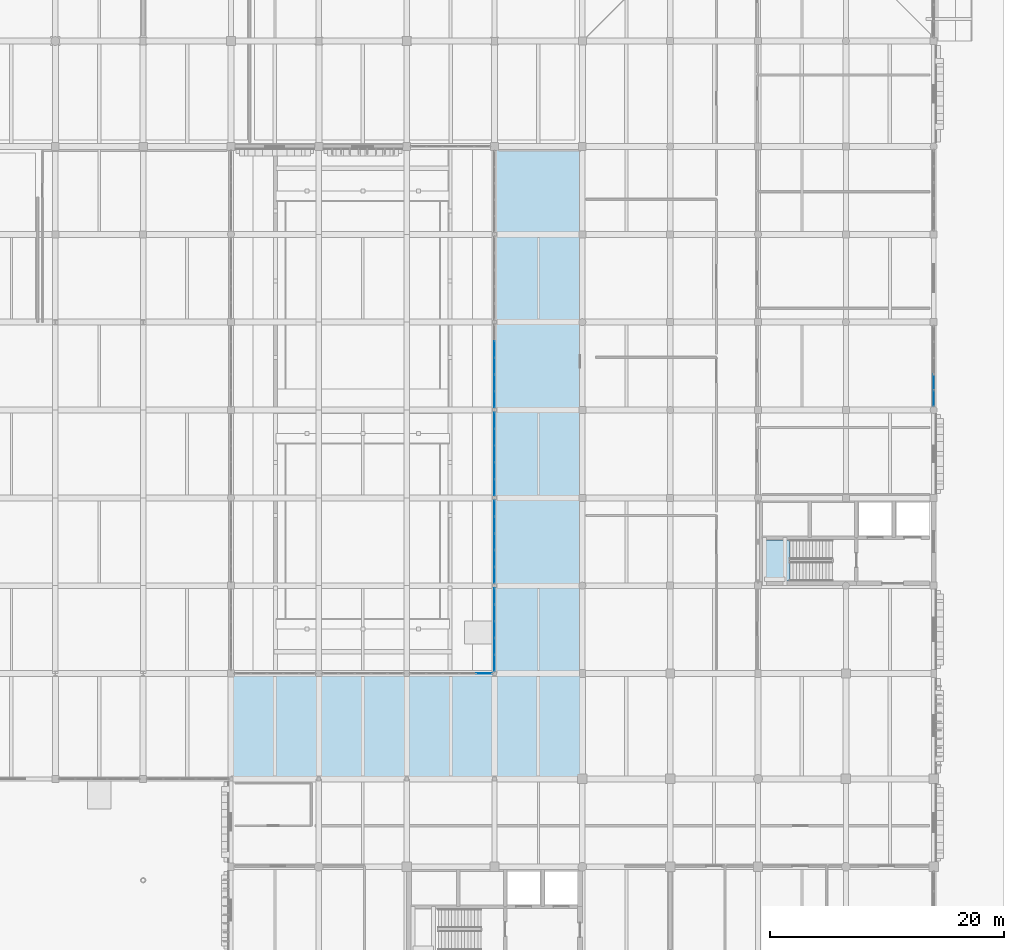
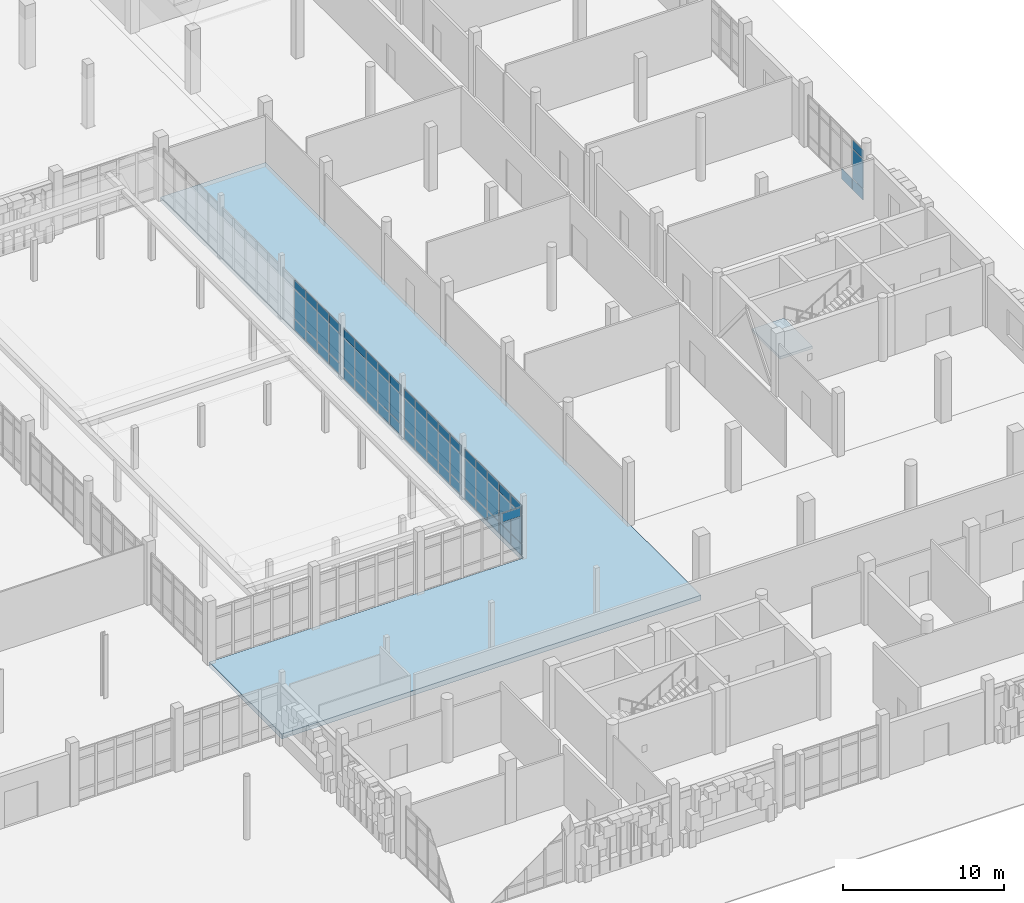
# One storey, part 83 of 125: 62 plates, 2 slabs, 7 elements without a shape of their own.
"""IFC4 building model written with IfcOpenShell, lengths in metres."""

from ifc_helpers import new_model, si_unit, direction, frame, origin, origin_2d, place, context, subcontext, project, spatial, polyline, rectangle, outline, extrude, material, layer, layer_set, type_object, element, aggregate, save


model = new_model("IFC4")

# Units and contexts
model_context = context("Model", 3, precision=1e-05, world=origin(), true_north=direction((0.0, 1.0)))
body_context = subcontext(model_context, "Body", "Model", "MODEL_VIEW")
ifc_project = project(units=[si_unit("LENGTHUNIT", "METRE"), si_unit("AREAUNIT", "SQUARE_METRE"), si_unit("VOLUMEUNIT", "CUBIC_METRE"), si_unit("PLANEANGLEUNIT", "RADIAN"), si_unit("MASSUNIT", "GRAM", prefix="KILO")], contexts=[model_context])

# Site, building, storey
site_placement = place(None, origin())
site = spatial("IfcSite", under=ifc_project, at=site_placement, CompositionType="ELEMENT")
building_placement = place(site_placement, origin())
building = spatial("IfcBuilding", under=site, at=building_placement, Name="Dalvernix Boulevard General Hospital", CompositionType="ELEMENT")
storey_placement = place(building_placement, origin())
storey = spatial("IfcBuildingStorey", under=building, at=storey_placement, Name="L00", CompositionType="ELEMENT", Elevation=0.0)

# Curtain wall, plate
ifc_material_1 = material(Name="Thermally broken aluminium and solar-control glass curtain wall", Category="aluminium")
ifc_layer_1 = layer(ifc_material_1, 0.159912109375)
ifc_layer_set_1 = layer_set([ifc_layer_1], Name="Thermally broken aluminium and solar-control glass curtain wall (CW-CW-A-71x40)")
curtain_wall_type_1 = type_object("IfcCurtainWallType", Name="CW-CW-A-71x40", PredefinedType="USERDEFINED", material=ifc_layer_set_1)
curtain_wall_1_placement = place(storey_placement, origin())
curtain_wall_1 = element("IfcCurtainWall", 1, at=curtain_wall_1_placement, inside=storey, type_object=curtain_wall_type_1, Name="L00 curtain wall CW-A-71x40 17-4", ObjectType="GLAZED FACADE", PredefinedType="USERDEFINED")
ifc_material_2 = material(Name="Double-glazed solar-control low-emissivity glass", Category="glass")
ifc_layer_2 = layer(ifc_material_2, 0.02392578125)
ifc_layer_set_2 = layer_set([ifc_layer_2], Name="Double-glazed solar-control low-emissivity glass (PLT-CW-P1)")
plate_type_1 = type_object("IfcPlateType", Name="PLT-CW-P1", PredefinedType="CURTAIN_PANEL", material=ifc_layer_set_2)
plate_1_placement = place(storey_placement, frame((134.10791015625, 31.5, 3.22998046875), z_axis=(0.0, 0.0, 1.0), x_axis=(1.0, 0.0, 0.0)))
plate_1 = element("IfcPlate", 2, at=plate_1_placement, type_object=plate_type_1, Name="CW-A-71x40 panel 5.3", PredefinedType="CURTAIN_PANEL", context=body_context, shape_type="SweptSolid", body=[
    extrude(rectangle(XDim=1.323974609375, YDim=0.02392578125, at=origin_2d()), origin(), (0.0, 0.0, 1.0), 0.659912109375),
])
aggregate(curtain_wall_1, [plate_1])

# Curtain wall, plates
ifc_layer_3 = layer(ifc_material_1, 0.159912109375)
ifc_layer_set_3 = layer_set([ifc_layer_3], Name="Thermally broken aluminium and solar-control glass curtain wall (CW-CW-A-72x39)")
curtain_wall_type_2 = type_object("IfcCurtainWallType", Name="CW-CW-A-72x39", PredefinedType="USERDEFINED", material=ifc_layer_set_3)
curtain_wall_2_placement = place(storey_placement, origin())
curtain_wall_2 = element("IfcCurtainWall", 3, at=curtain_wall_2_placement, inside=storey, type_object=curtain_wall_type_2, Name="L00 curtain wall CW-A-72x39 18-6", ObjectType="GLAZED FACADE", PredefinedType="USERDEFINED")
plate_2_placement = place(storey_placement, frame((135.0, 47.40087890625, 0.06005859375), z_axis=(0.0, 0.0, 1.0), x_axis=(0.0, 1.0, 0.0)))
plate_2 = element("IfcPlate", 4, at=plate_2_placement, type_object=plate_type_1, Name="CW-A-72x39 panel 1.1", PredefinedType="CURTAIN_PANEL", context=body_context, shape_type="SweptSolid", body=[
    extrude(rectangle(XDim=1.342041015625, YDim=0.02392578125, at=origin_2d()), origin(), (0.0, 0.0, 1.0), 0.81005859375),
])
plate_3_placement = place(storey_placement, frame((135.0, 47.40087890625, 0.929931640625), z_axis=(0.0, 0.0, 1.0), x_axis=(0.0, 1.0, 0.0)))
plate_3 = element("IfcPlate", 5, at=plate_3_placement, type_object=plate_type_1, Name="CW-A-72x39 panel 1.2", PredefinedType="CURTAIN_PANEL", context=body_context, shape_type="SweptSolid", body=[
    extrude(rectangle(XDim=1.342041015625, YDim=0.02392578125, at=origin_2d()), origin(), (0.0, 0.0, 1.0), 2.18994140625),
])
plate_4_placement = place(storey_placement, frame((135.0, 47.40087890625, 3.18017578125), z_axis=(0.0, 0.0, 1.0), x_axis=(0.0, 1.0, 0.0)))
plate_4 = element("IfcPlate", 6, at=plate_4_placement, type_object=plate_type_1, Name="CW-A-72x39 panel 1.3", PredefinedType="CURTAIN_PANEL", context=body_context, shape_type="SweptSolid", body=[
    extrude(rectangle(XDim=1.342041015625, YDim=0.02392578125, at=origin_2d()), origin(), (0.0, 0.0, 1.0), 0.659912109375),
])
plate_5_placement = place(storey_placement, frame((135.0, 48.818115234375, 0.06005859375), z_axis=(0.0, 0.0, 1.0), x_axis=(0.0, 1.0, 0.0)))
plate_5 = element("IfcPlate", 7, at=plate_5_placement, type_object=plate_type_1, Name="CW-A-72x39 panel 2.1", PredefinedType="CURTAIN_PANEL", context=body_context, shape_type="SweptSolid", body=[
    extrude(rectangle(XDim=1.3720703125, YDim=0.02392578125, at=origin_2d()), origin(), (0.0, 0.0, 1.0), 0.81005859375),
])
plate_6_placement = place(storey_placement, frame((135.0, 48.818115234375, 0.929931640625), z_axis=(0.0, 0.0, 1.0), x_axis=(0.0, 1.0, 0.0)))
plate_6 = element("IfcPlate", 8, at=plate_6_placement, type_object=plate_type_1, Name="CW-A-72x39 panel 2.2", PredefinedType="CURTAIN_PANEL", context=body_context, shape_type="SweptSolid", body=[
    extrude(rectangle(XDim=1.3720703125, YDim=0.02392578125, at=origin_2d()), origin(), (0.0, 0.0, 1.0), 2.18994140625),
])
plate_7_placement = place(storey_placement, frame((135.0, 48.818115234375, 3.18017578125), z_axis=(0.0, 0.0, 1.0), x_axis=(0.0, 1.0, 0.0)))
plate_7 = element("IfcPlate", 9, at=plate_7_placement, type_object=plate_type_1, Name="CW-A-72x39 panel 2.3", PredefinedType="CURTAIN_PANEL", context=body_context, shape_type="SweptSolid", body=[
    extrude(rectangle(XDim=1.3720703125, YDim=0.02392578125, at=origin_2d()), origin(), (0.0, 0.0, 1.0), 0.659912109375),
])
plate_8_placement = place(storey_placement, frame((135.0, 50.25, 0.06005859375), z_axis=(0.0, 0.0, 1.0), x_axis=(0.0, 1.0, 0.0)))
plate_8 = element("IfcPlate", 10, at=plate_8_placement, type_object=plate_type_1, Name="CW-A-72x39 panel 3.1", PredefinedType="CURTAIN_PANEL", context=body_context, shape_type="SweptSolid", body=[
    extrude(rectangle(XDim=1.3720703125, YDim=0.02392578125, at=origin_2d()), origin(), (0.0, 0.0, 1.0), 0.81005859375),
])
plate_9_placement = place(storey_placement, frame((135.0, 50.25, 0.929931640625), z_axis=(0.0, 0.0, 1.0), x_axis=(0.0, 1.0, 0.0)))
plate_9 = element("IfcPlate", 11, at=plate_9_placement, type_object=plate_type_1, Name="CW-A-72x39 panel 3.2", PredefinedType="CURTAIN_PANEL", context=body_context, shape_type="SweptSolid", body=[
    extrude(rectangle(XDim=1.3720703125, YDim=0.02392578125, at=origin_2d()), origin(), (0.0, 0.0, 1.0), 2.18994140625),
])
plate_10_placement = place(storey_placement, frame((135.0, 50.25, 3.18017578125), z_axis=(0.0, 0.0, 1.0), x_axis=(0.0, 1.0, 0.0)))
plate_10 = element("IfcPlate", 12, at=plate_10_placement, type_object=plate_type_1, Name="CW-A-72x39 panel 3.3", PredefinedType="CURTAIN_PANEL", context=body_context, shape_type="SweptSolid", body=[
    extrude(rectangle(XDim=1.3720703125, YDim=0.02392578125, at=origin_2d()), origin(), (0.0, 0.0, 1.0), 0.659912109375),
])
plate_11_placement = place(storey_placement, frame((135.0, 51.681884765625, 0.06005859375), z_axis=(0.0, 0.0, 1.0), x_axis=(0.0, 1.0, 0.0)))
plate_11 = element("IfcPlate", 13, at=plate_11_placement, type_object=plate_type_1, Name="CW-A-72x39 panel 4.1", PredefinedType="CURTAIN_PANEL", context=body_context, shape_type="SweptSolid", body=[
    extrude(rectangle(XDim=1.3720703125, YDim=0.02392578125, at=origin_2d()), origin(), (0.0, 0.0, 1.0), 0.81005859375),
])
plate_12_placement = place(storey_placement, frame((135.0, 51.681884765625, 0.929931640625), z_axis=(0.0, 0.0, 1.0), x_axis=(0.0, 1.0, 0.0)))
plate_12 = element("IfcPlate", 14, at=plate_12_placement, type_object=plate_type_1, Name="CW-A-72x39 panel 4.2", PredefinedType="CURTAIN_PANEL", context=body_context, shape_type="SweptSolid", body=[
    extrude(rectangle(XDim=1.3720703125, YDim=0.02392578125, at=origin_2d()), origin(), (0.0, 0.0, 1.0), 2.18994140625),
])
plate_13_placement = place(storey_placement, frame((135.0, 51.681884765625, 3.18017578125), z_axis=(0.0, 0.0, 1.0), x_axis=(0.0, 1.0, 0.0)))
plate_13 = element("IfcPlate", 15, at=plate_13_placement, type_object=plate_type_1, Name="CW-A-72x39 panel 4.3", PredefinedType="CURTAIN_PANEL", context=body_context, shape_type="SweptSolid", body=[
    extrude(rectangle(XDim=1.3720703125, YDim=0.02392578125, at=origin_2d()), origin(), (0.0, 0.0, 1.0), 0.659912109375),
])
plate_14_placement = place(storey_placement, frame((135.0, 53.09912109375, 0.06005859375), z_axis=(0.0, 0.0, 1.0), x_axis=(0.0, 1.0, 0.0)))
plate_14 = element("IfcPlate", 16, at=plate_14_placement, type_object=plate_type_1, Name="CW-A-72x39 panel 5.1", PredefinedType="CURTAIN_PANEL", context=body_context, shape_type="SweptSolid", body=[
    extrude(rectangle(XDim=1.342041015625, YDim=0.02392578125, at=origin_2d()), origin(), (0.0, 0.0, 1.0), 0.81005859375),
])
plate_15_placement = place(storey_placement, frame((135.0, 53.09912109375, 0.929931640625), z_axis=(0.0, 0.0, 1.0), x_axis=(0.0, 1.0, 0.0)))
plate_15 = element("IfcPlate", 17, at=plate_15_placement, type_object=plate_type_1, Name="CW-A-72x39 panel 5.2", PredefinedType="CURTAIN_PANEL", context=body_context, shape_type="SweptSolid", body=[
    extrude(rectangle(XDim=1.342041015625, YDim=0.02392578125, at=origin_2d()), origin(), (0.0, 0.0, 1.0), 2.18994140625),
])
plate_16_placement = place(storey_placement, frame((135.0, 53.09912109375, 3.18017578125), z_axis=(0.0, 0.0, 1.0), x_axis=(0.0, 1.0, 0.0)))
plate_16 = element("IfcPlate", 18, at=plate_16_placement, type_object=plate_type_1, Name="CW-A-72x39 panel 5.3", PredefinedType="CURTAIN_PANEL", context=body_context, shape_type="SweptSolid", body=[
    extrude(rectangle(XDim=1.342041015625, YDim=0.02392578125, at=origin_2d()), origin(), (0.0, 0.0, 1.0), 0.659912109375),
])
aggregate(curtain_wall_2, [plate_2, plate_3, plate_4, plate_5, plate_6, plate_7, plate_8, plate_9, plate_10, plate_11, plate_12, plate_13, plate_14, plate_15, plate_16])

ifc_layer_4 = layer(ifc_material_1, 0.159912109375)
ifc_layer_set_4 = layer_set([ifc_layer_4], Name="Thermally broken aluminium and solar-control glass curtain wall (CW-CW-A-69x39)")
curtain_wall_type_3 = type_object("IfcCurtainWallType", Name="CW-CW-A-69x39", PredefinedType="USERDEFINED", material=ifc_layer_set_4)
curtain_wall_3_placement = place(storey_placement, origin())
curtain_wall_3 = element("IfcCurtainWall", 19, at=curtain_wall_3_placement, inside=storey, type_object=curtain_wall_type_3, Name="L00 curtain wall CW-A-69x39 23-7", ObjectType="GLAZED FACADE", PredefinedType="USERDEFINED")
plate_17_placement = place(storey_placement, frame((172.5, 56.3740234375, 0.06005859375), z_axis=(0.0, 0.0, 1.0), x_axis=(0.0, -1.0, 0.0)))
plate_17 = element("IfcPlate", 20, at=plate_17_placement, type_object=plate_type_1, Name="CW-A-69x39 panel 4.1", PredefinedType="CURTAIN_PANEL", context=body_context, shape_type="SweptSolid", body=[
    extrude(rectangle(XDim=1.31591796875, YDim=0.02392578125, at=origin_2d()), origin(), (0.0, 0.0, 1.0), 0.81005859375),
])
plate_18_placement = place(storey_placement, frame((172.5, 55.012939453125, 0.06005859375), z_axis=(0.0, 0.0, 1.0), x_axis=(0.0, -1.0, 0.0)))
plate_18 = element("IfcPlate", 21, at=plate_18_placement, type_object=plate_type_1, Name="CW-A-69x39 panel 5.1", PredefinedType="CURTAIN_PANEL", context=body_context, shape_type="SweptSolid", body=[
    extrude(rectangle(XDim=1.285888671875, YDim=0.02392578125, at=origin_2d()), origin(), (0.0, 0.0, 1.0), 0.81005859375),
])
plate_19_placement = place(storey_placement, frame((172.5, 55.012939453125, 0.929931640625), z_axis=(0.0, 0.0, 1.0), x_axis=(0.0, -1.0, 0.0)))
plate_19 = element("IfcPlate", 22, at=plate_19_placement, type_object=plate_type_1, Name="CW-A-69x39 panel 5.2", PredefinedType="CURTAIN_PANEL", context=body_context, shape_type="SweptSolid", body=[
    extrude(rectangle(XDim=1.285888671875, YDim=0.02392578125, at=origin_2d()), origin(), (0.0, 0.0, 1.0), 2.18994140625),
])
plate_20_placement = place(storey_placement, frame((172.5, 55.012939453125, 3.18017578125), z_axis=(0.0, 0.0, 1.0), x_axis=(0.0, -1.0, 0.0)))
plate_20 = element("IfcPlate", 23, at=plate_20_placement, type_object=plate_type_1, Name="CW-A-69x39 panel 5.3", PredefinedType="CURTAIN_PANEL", context=body_context, shape_type="SweptSolid", body=[
    extrude(rectangle(XDim=1.285888671875, YDim=0.02392578125, at=origin_2d()), origin(), (0.0, 0.0, 1.0), 0.659912109375),
])
aggregate(curtain_wall_3, [plate_17, plate_18, plate_19, plate_20])

ifc_layer_5 = layer(ifc_material_1, 0.179931640625)
ifc_layer_set_5 = layer_set([ifc_layer_5], Name="Thermally broken aluminium and solar-control glass curtain wall (CW-CW-B-72x39)")
curtain_wall_type_4 = type_object("IfcCurtainWallType", Name="CW-CW-B-72x39", PredefinedType="USERDEFINED", material=ifc_layer_set_5)
curtain_wall_4_placement = place(storey_placement, origin())
curtain_wall_4 = element("IfcCurtainWall", 24, at=curtain_wall_4_placement, inside=storey, type_object=curtain_wall_type_4, Name="L00 curtain wall CW-B-72x39 18-4", ObjectType="GLAZED FACADE", PredefinedType="USERDEFINED")
ifc_layer_6 = layer(ifc_material_2, 0.028076171875)
ifc_layer_set_6 = layer_set([ifc_layer_6], Name="Double-glazed solar-control low-emissivity glass (PLT-CW-P2)")
plate_type_2 = type_object("IfcPlateType", Name="PLT-CW-P2", PredefinedType="CURTAIN_PANEL", material=ifc_layer_set_6)
plate_21_placement = place(storey_placement, frame((135.0, 32.40234375, 0.06494140625), z_axis=(0.0, 0.0, 1.0), x_axis=(0.0, 1.0, 0.0)))
plate_21 = element("IfcPlate", 25, at=plate_21_placement, type_object=plate_type_2, Name="CW-B-72x39 panel 1.1", PredefinedType="CURTAIN_PANEL", context=body_context, shape_type="SweptSolid", body=[
    extrude(rectangle(XDim=1.33447265625, YDim=0.028076171875, at=origin_2d()), origin(), (0.0, 0.0, 1.0), 0.802490234375),
])
plate_22_placement = place(storey_placement, frame((135.0, 32.40234375, 0.932373046875), z_axis=(0.0, 0.0, 1.0), x_axis=(0.0, 1.0, 0.0)))
plate_22 = element("IfcPlate", 26, at=plate_22_placement, type_object=plate_type_2, Name="CW-B-72x39 panel 1.2", PredefinedType="CURTAIN_PANEL", context=body_context, shape_type="SweptSolid", body=[
    extrude(rectangle(XDim=1.33447265625, YDim=0.028076171875, at=origin_2d()), origin(), (0.0, 0.0, 1.0), 2.18505859375),
])
plate_23_placement = place(storey_placement, frame((135.0, 32.40234375, 3.1826171875), z_axis=(0.0, 0.0, 1.0), x_axis=(0.0, 1.0, 0.0)))
plate_23 = element("IfcPlate", 27, at=plate_23_placement, type_object=plate_type_2, Name="CW-B-72x39 panel 1.3", PredefinedType="CURTAIN_PANEL", context=body_context, shape_type="SweptSolid", body=[
    extrude(rectangle(XDim=1.33447265625, YDim=0.028076171875, at=origin_2d()), origin(), (0.0, 0.0, 1.0), 0.652587890625),
])
plate_24_placement = place(storey_placement, frame((135.0, 33.818115234375, 0.06494140625), z_axis=(0.0, 0.0, 1.0), x_axis=(0.0, 1.0, 0.0)))
plate_24 = element("IfcPlate", 28, at=plate_24_placement, type_object=plate_type_2, Name="CW-B-72x39 panel 2.1", PredefinedType="CURTAIN_PANEL", context=body_context, shape_type="SweptSolid", body=[
    extrude(rectangle(XDim=1.366943359375, YDim=0.028076171875, at=origin_2d()), origin(), (0.0, 0.0, 1.0), 0.802490234375),
])
plate_25_placement = place(storey_placement, frame((135.0, 33.818115234375, 0.932373046875), z_axis=(0.0, 0.0, 1.0), x_axis=(0.0, 1.0, 0.0)))
plate_25 = element("IfcPlate", 29, at=plate_25_placement, type_object=plate_type_2, Name="CW-B-72x39 panel 2.2", PredefinedType="CURTAIN_PANEL", context=body_context, shape_type="SweptSolid", body=[
    extrude(rectangle(XDim=1.366943359375, YDim=0.028076171875, at=origin_2d()), origin(), (0.0, 0.0, 1.0), 2.18505859375),
])
plate_26_placement = place(storey_placement, frame((135.0, 33.818115234375, 3.1826171875), z_axis=(0.0, 0.0, 1.0), x_axis=(0.0, 1.0, 0.0)))
plate_26 = element("IfcPlate", 30, at=plate_26_placement, type_object=plate_type_2, Name="CW-B-72x39 panel 2.3", PredefinedType="CURTAIN_PANEL", context=body_context, shape_type="SweptSolid", body=[
    extrude(rectangle(XDim=1.366943359375, YDim=0.028076171875, at=origin_2d()), origin(), (0.0, 0.0, 1.0), 0.652587890625),
])
plate_27_placement = place(storey_placement, frame((135.0, 35.25, 0.06494140625), z_axis=(0.0, 0.0, 1.0), x_axis=(0.0, 1.0, 0.0)))
plate_27 = element("IfcPlate", 31, at=plate_27_placement, type_object=plate_type_2, Name="CW-B-72x39 panel 3.1", PredefinedType="CURTAIN_PANEL", context=body_context, shape_type="SweptSolid", body=[
    extrude(rectangle(XDim=1.366943359375, YDim=0.028076171875, at=origin_2d()), origin(), (0.0, 0.0, 1.0), 0.802490234375),
])
plate_28_placement = place(storey_placement, frame((135.0, 35.25, 0.932373046875), z_axis=(0.0, 0.0, 1.0), x_axis=(0.0, 1.0, 0.0)))
plate_28 = element("IfcPlate", 32, at=plate_28_placement, type_object=plate_type_2, Name="CW-B-72x39 panel 3.2", PredefinedType="CURTAIN_PANEL", context=body_context, shape_type="SweptSolid", body=[
    extrude(rectangle(XDim=1.366943359375, YDim=0.028076171875, at=origin_2d()), origin(), (0.0, 0.0, 1.0), 2.18505859375),
])
plate_29_placement = place(storey_placement, frame((135.0, 35.25, 3.1826171875), z_axis=(0.0, 0.0, 1.0), x_axis=(0.0, 1.0, 0.0)))
plate_29 = element("IfcPlate", 33, at=plate_29_placement, type_object=plate_type_2, Name="CW-B-72x39 panel 3.3", PredefinedType="CURTAIN_PANEL", context=body_context, shape_type="SweptSolid", body=[
    extrude(rectangle(XDim=1.366943359375, YDim=0.028076171875, at=origin_2d()), origin(), (0.0, 0.0, 1.0), 0.652587890625),
])
plate_30_placement = place(storey_placement, frame((135.0, 36.681884765625, 0.06494140625), z_axis=(0.0, 0.0, 1.0), x_axis=(0.0, 1.0, 0.0)))
plate_30 = element("IfcPlate", 34, at=plate_30_placement, type_object=plate_type_2, Name="CW-B-72x39 panel 4.1", PredefinedType="CURTAIN_PANEL", context=body_context, shape_type="SweptSolid", body=[
    extrude(rectangle(XDim=1.366943359375, YDim=0.028076171875, at=origin_2d()), origin(), (0.0, 0.0, 1.0), 0.802490234375),
])
plate_31_placement = place(storey_placement, frame((135.0, 36.681884765625, 0.932373046875), z_axis=(0.0, 0.0, 1.0), x_axis=(0.0, 1.0, 0.0)))
plate_31 = element("IfcPlate", 35, at=plate_31_placement, type_object=plate_type_2, Name="CW-B-72x39 panel 4.2", PredefinedType="CURTAIN_PANEL", context=body_context, shape_type="SweptSolid", body=[
    extrude(rectangle(XDim=1.366943359375, YDim=0.028076171875, at=origin_2d()), origin(), (0.0, 0.0, 1.0), 2.18505859375),
])
plate_32_placement = place(storey_placement, frame((135.0, 36.681884765625, 3.1826171875), z_axis=(0.0, 0.0, 1.0), x_axis=(0.0, 1.0, 0.0)))
plate_32 = element("IfcPlate", 36, at=plate_32_placement, type_object=plate_type_2, Name="CW-B-72x39 panel 4.3", PredefinedType="CURTAIN_PANEL", context=body_context, shape_type="SweptSolid", body=[
    extrude(rectangle(XDim=1.366943359375, YDim=0.028076171875, at=origin_2d()), origin(), (0.0, 0.0, 1.0), 0.652587890625),
])
plate_33_placement = place(storey_placement, frame((135.0, 38.09765625, 0.06494140625), z_axis=(0.0, 0.0, 1.0), x_axis=(0.0, 1.0, 0.0)))
plate_33 = element("IfcPlate", 37, at=plate_33_placement, type_object=plate_type_2, Name="CW-B-72x39 panel 5.1", PredefinedType="CURTAIN_PANEL", context=body_context, shape_type="SweptSolid", body=[
    extrude(rectangle(XDim=1.33447265625, YDim=0.028076171875, at=origin_2d()), origin(), (0.0, 0.0, 1.0), 0.802490234375),
])
plate_34_placement = place(storey_placement, frame((135.0, 38.09765625, 0.932373046875), z_axis=(0.0, 0.0, 1.0), x_axis=(0.0, 1.0, 0.0)))
plate_34 = element("IfcPlate", 38, at=plate_34_placement, type_object=plate_type_2, Name="CW-B-72x39 panel 5.2", PredefinedType="CURTAIN_PANEL", context=body_context, shape_type="SweptSolid", body=[
    extrude(rectangle(XDim=1.33447265625, YDim=0.028076171875, at=origin_2d()), origin(), (0.0, 0.0, 1.0), 2.18505859375),
])
plate_35_placement = place(storey_placement, frame((135.0, 38.09765625, 3.1826171875), z_axis=(0.0, 0.0, 1.0), x_axis=(0.0, 1.0, 0.0)))
plate_35 = element("IfcPlate", 39, at=plate_35_placement, type_object=plate_type_2, Name="CW-B-72x39 panel 5.3", PredefinedType="CURTAIN_PANEL", context=body_context, shape_type="SweptSolid", body=[
    extrude(rectangle(XDim=1.33447265625, YDim=0.028076171875, at=origin_2d()), origin(), (0.0, 0.0, 1.0), 0.652587890625),
])
aggregate(curtain_wall_4, [plate_21, plate_22, plate_23, plate_24, plate_25, plate_26, plate_27, plate_28, plate_29, plate_30, plate_31, plate_32, plate_33, plate_34, plate_35])

curtain_wall_5_placement = place(storey_placement, origin())
curtain_wall_5 = element("IfcCurtainWall", 40, at=curtain_wall_5_placement, inside=storey, type_object=curtain_wall_type_4, Name="L00 curtain wall CW-B-72x39 18-7", ObjectType="GLAZED FACADE", PredefinedType="USERDEFINED")
plate_36_placement = place(storey_placement, frame((135.0, 54.90234375, 0.06494140625), z_axis=(0.0, 0.0, 1.0), x_axis=(0.0, 1.0, 0.0)))
plate_36 = element("IfcPlate", 41, at=plate_36_placement, type_object=plate_type_2, Name="CW-B-72x39 panel 1.1", PredefinedType="CURTAIN_PANEL", context=body_context, shape_type="SweptSolid", body=[
    extrude(rectangle(XDim=1.33447265625, YDim=0.028076171875, at=origin_2d()), origin(), (0.0, 0.0, 1.0), 0.802490234375),
])
plate_37_placement = place(storey_placement, frame((135.0, 54.90234375, 0.932373046875), z_axis=(0.0, 0.0, 1.0), x_axis=(0.0, 1.0, 0.0)))
plate_37 = element("IfcPlate", 42, at=plate_37_placement, type_object=plate_type_2, Name="CW-B-72x39 panel 1.2", PredefinedType="CURTAIN_PANEL", context=body_context, shape_type="SweptSolid", body=[
    extrude(rectangle(XDim=1.33447265625, YDim=0.028076171875, at=origin_2d()), origin(), (0.0, 0.0, 1.0), 2.18505859375),
])
plate_38_placement = place(storey_placement, frame((135.0, 54.90234375, 3.1826171875), z_axis=(0.0, 0.0, 1.0), x_axis=(0.0, 1.0, 0.0)))
plate_38 = element("IfcPlate", 43, at=plate_38_placement, type_object=plate_type_2, Name="CW-B-72x39 panel 1.3", PredefinedType="CURTAIN_PANEL", context=body_context, shape_type="SweptSolid", body=[
    extrude(rectangle(XDim=1.33447265625, YDim=0.028076171875, at=origin_2d()), origin(), (0.0, 0.0, 1.0), 0.652587890625),
])
plate_39_placement = place(storey_placement, frame((135.0, 56.318115234375, 0.06494140625), z_axis=(0.0, 0.0, 1.0), x_axis=(0.0, 1.0, 0.0)))
plate_39 = element("IfcPlate", 44, at=plate_39_placement, type_object=plate_type_2, Name="CW-B-72x39 panel 2.1", PredefinedType="CURTAIN_PANEL", context=body_context, shape_type="SweptSolid", body=[
    extrude(rectangle(XDim=1.366943359375, YDim=0.028076171875, at=origin_2d()), origin(), (0.0, 0.0, 1.0), 0.802490234375),
])
plate_40_placement = place(storey_placement, frame((135.0, 56.318115234375, 0.932373046875), z_axis=(0.0, 0.0, 1.0), x_axis=(0.0, 1.0, 0.0)))
plate_40 = element("IfcPlate", 45, at=plate_40_placement, type_object=plate_type_2, Name="CW-B-72x39 panel 2.2", PredefinedType="CURTAIN_PANEL", context=body_context, shape_type="SweptSolid", body=[
    extrude(rectangle(XDim=1.366943359375, YDim=0.028076171875, at=origin_2d()), origin(), (0.0, 0.0, 1.0), 2.18505859375),
])
plate_41_placement = place(storey_placement, frame((135.0, 56.318115234375, 3.1826171875), z_axis=(0.0, 0.0, 1.0), x_axis=(0.0, 1.0, 0.0)))
plate_41 = element("IfcPlate", 46, at=plate_41_placement, type_object=plate_type_2, Name="CW-B-72x39 panel 2.3", PredefinedType="CURTAIN_PANEL", context=body_context, shape_type="SweptSolid", body=[
    extrude(rectangle(XDim=1.366943359375, YDim=0.028076171875, at=origin_2d()), origin(), (0.0, 0.0, 1.0), 0.652587890625),
])
plate_42_placement = place(storey_placement, frame((135.0, 57.75, 0.06494140625), z_axis=(0.0, 0.0, 1.0), x_axis=(0.0, 1.0, 0.0)))
plate_42 = element("IfcPlate", 47, at=plate_42_placement, type_object=plate_type_2, Name="CW-B-72x39 panel 3.1", PredefinedType="CURTAIN_PANEL", context=body_context, shape_type="SweptSolid", body=[
    extrude(rectangle(XDim=1.366943359375, YDim=0.028076171875, at=origin_2d()), origin(), (0.0, 0.0, 1.0), 0.802490234375),
])
plate_43_placement = place(storey_placement, frame((135.0, 57.75, 0.932373046875), z_axis=(0.0, 0.0, 1.0), x_axis=(0.0, 1.0, 0.0)))
plate_43 = element("IfcPlate", 48, at=plate_43_placement, type_object=plate_type_2, Name="CW-B-72x39 panel 3.2", PredefinedType="CURTAIN_PANEL", context=body_context, shape_type="SweptSolid", body=[
    extrude(rectangle(XDim=1.366943359375, YDim=0.028076171875, at=origin_2d()), origin(), (0.0, 0.0, 1.0), 2.18505859375),
])
plate_44_placement = place(storey_placement, frame((135.0, 57.75, 3.1826171875), z_axis=(0.0, 0.0, 1.0), x_axis=(0.0, 1.0, 0.0)))
plate_44 = element("IfcPlate", 49, at=plate_44_placement, type_object=plate_type_2, Name="CW-B-72x39 panel 3.3", PredefinedType="CURTAIN_PANEL", context=body_context, shape_type="SweptSolid", body=[
    extrude(rectangle(XDim=1.366943359375, YDim=0.028076171875, at=origin_2d()), origin(), (0.0, 0.0, 1.0), 0.652587890625),
])
plate_45_placement = place(storey_placement, frame((135.0, 59.181884765625, 0.06494140625), z_axis=(0.0, 0.0, 1.0), x_axis=(0.0, 1.0, 0.0)))
plate_45 = element("IfcPlate", 50, at=plate_45_placement, type_object=plate_type_2, Name="CW-B-72x39 panel 4.1", PredefinedType="CURTAIN_PANEL", context=body_context, shape_type="SweptSolid", body=[
    extrude(rectangle(XDim=1.366943359375, YDim=0.028076171875, at=origin_2d()), origin(), (0.0, 0.0, 1.0), 0.802490234375),
])
plate_46_placement = place(storey_placement, frame((135.0, 59.181884765625, 0.932373046875), z_axis=(0.0, 0.0, 1.0), x_axis=(0.0, 1.0, 0.0)))
plate_46 = element("IfcPlate", 51, at=plate_46_placement, type_object=plate_type_2, Name="CW-B-72x39 panel 4.2", PredefinedType="CURTAIN_PANEL", context=body_context, shape_type="SweptSolid", body=[
    extrude(rectangle(XDim=1.366943359375, YDim=0.028076171875, at=origin_2d()), origin(), (0.0, 0.0, 1.0), 2.18505859375),
])
plate_47_placement = place(storey_placement, frame((135.0, 59.181884765625, 3.1826171875), z_axis=(0.0, 0.0, 1.0), x_axis=(0.0, 1.0, 0.0)))
plate_47 = element("IfcPlate", 52, at=plate_47_placement, type_object=plate_type_2, Name="CW-B-72x39 panel 4.3", PredefinedType="CURTAIN_PANEL", context=body_context, shape_type="SweptSolid", body=[
    extrude(rectangle(XDim=1.366943359375, YDim=0.028076171875, at=origin_2d()), origin(), (0.0, 0.0, 1.0), 0.652587890625),
])
aggregate(curtain_wall_5, [plate_36, plate_37, plate_38, plate_39, plate_40, plate_41, plate_42, plate_43, plate_44, plate_45, plate_46, plate_47])

ifc_layer_7 = layer(ifc_material_1, 0.199951171875)
ifc_layer_set_7 = layer_set([ifc_layer_7], Name="Thermally broken aluminium and solar-control glass curtain wall (CW-CW-C-72x39)")
curtain_wall_type_5 = type_object("IfcCurtainWallType", Name="CW-CW-C-72x39", PredefinedType="USERDEFINED", material=ifc_layer_set_7)
curtain_wall_6_placement = place(storey_placement, origin())
curtain_wall_6 = element("IfcCurtainWall", 53, at=curtain_wall_6_placement, inside=storey, type_object=curtain_wall_type_5, Name="L00 curtain wall CW-C-72x39 18-5", ObjectType="GLAZED FACADE", PredefinedType="USERDEFINED")
ifc_layer_8 = layer(ifc_material_2, 0.035888671875)
ifc_layer_set_8 = layer_set([ifc_layer_8], Name="Double-glazed solar-control low-emissivity glass (PLT-CW-P3)")
plate_type_3 = type_object("IfcPlateType", Name="PLT-CW-P3", PredefinedType="CURTAIN_PANEL", material=ifc_layer_set_8)
plate_48_placement = place(storey_placement, frame((135.0, 39.903564453125, 0.070068359375), z_axis=(0.0, 0.0, 1.0), x_axis=(0.0, 1.0, 0.0)))
plate_48 = element("IfcPlate", 54, at=plate_48_placement, type_object=plate_type_3, Name="CW-C-72x39 panel 1.1", PredefinedType="CURTAIN_PANEL", context=body_context, shape_type="SweptSolid", body=[
    extrude(rectangle(XDim=1.326904296875, YDim=0.035888671875, at=origin_2d()), origin(), (0.0, 0.0, 1.0), 0.794921875),
])
plate_49_placement = place(storey_placement, frame((135.0, 39.903564453125, 0.93505859375), z_axis=(0.0, 0.0, 1.0), x_axis=(0.0, 1.0, 0.0)))
plate_49 = element("IfcPlate", 55, at=plate_49_placement, type_object=plate_type_3, Name="CW-C-72x39 panel 1.2", PredefinedType="CURTAIN_PANEL", context=body_context, shape_type="SweptSolid", body=[
    extrude(rectangle(XDim=1.326904296875, YDim=0.035888671875, at=origin_2d()), origin(), (0.0, 0.0, 1.0), 2.179931640625),
])
plate_50_placement = place(storey_placement, frame((135.0, 39.903564453125, 3.18505859375), z_axis=(0.0, 0.0, 1.0), x_axis=(0.0, 1.0, 0.0)))
plate_50 = element("IfcPlate", 56, at=plate_50_placement, type_object=plate_type_3, Name="CW-C-72x39 panel 1.3", PredefinedType="CURTAIN_PANEL", context=body_context, shape_type="SweptSolid", body=[
    extrude(rectangle(XDim=1.326904296875, YDim=0.035888671875, at=origin_2d()), origin(), (0.0, 0.0, 1.0), 0.64501953125),
])
plate_51_placement = place(storey_placement, frame((135.0, 41.318115234375, 0.070068359375), z_axis=(0.0, 0.0, 1.0), x_axis=(0.0, 1.0, 0.0)))
plate_51 = element("IfcPlate", 57, at=plate_51_placement, type_object=plate_type_3, Name="CW-C-72x39 panel 2.1", PredefinedType="CURTAIN_PANEL", context=body_context, shape_type="SweptSolid", body=[
    extrude(rectangle(XDim=1.362060546875, YDim=0.035888671875, at=origin_2d()), origin(), (0.0, 0.0, 1.0), 0.794921875),
])
plate_52_placement = place(storey_placement, frame((135.0, 41.318115234375, 0.93505859375), z_axis=(0.0, 0.0, 1.0), x_axis=(0.0, 1.0, 0.0)))
plate_52 = element("IfcPlate", 58, at=plate_52_placement, type_object=plate_type_3, Name="CW-C-72x39 panel 2.2", PredefinedType="CURTAIN_PANEL", context=body_context, shape_type="SweptSolid", body=[
    extrude(rectangle(XDim=1.362060546875, YDim=0.035888671875, at=origin_2d()), origin(), (0.0, 0.0, 1.0), 2.179931640625),
])
plate_53_placement = place(storey_placement, frame((135.0, 41.318115234375, 3.18505859375), z_axis=(0.0, 0.0, 1.0), x_axis=(0.0, 1.0, 0.0)))
plate_53 = element("IfcPlate", 59, at=plate_53_placement, type_object=plate_type_3, Name="CW-C-72x39 panel 2.3", PredefinedType="CURTAIN_PANEL", context=body_context, shape_type="SweptSolid", body=[
    extrude(rectangle(XDim=1.362060546875, YDim=0.035888671875, at=origin_2d()), origin(), (0.0, 0.0, 1.0), 0.64501953125),
])
plate_54_placement = place(storey_placement, frame((135.0, 42.75, 0.070068359375), z_axis=(0.0, 0.0, 1.0), x_axis=(0.0, 1.0, 0.0)))
plate_54 = element("IfcPlate", 60, at=plate_54_placement, type_object=plate_type_3, Name="CW-C-72x39 panel 3.1", PredefinedType="CURTAIN_PANEL", context=body_context, shape_type="SweptSolid", body=[
    extrude(rectangle(XDim=1.362060546875, YDim=0.035888671875, at=origin_2d()), origin(), (0.0, 0.0, 1.0), 0.794921875),
])
plate_55_placement = place(storey_placement, frame((135.0, 42.75, 0.93505859375), z_axis=(0.0, 0.0, 1.0), x_axis=(0.0, 1.0, 0.0)))
plate_55 = element("IfcPlate", 61, at=plate_55_placement, type_object=plate_type_3, Name="CW-C-72x39 panel 3.2", PredefinedType="CURTAIN_PANEL", context=body_context, shape_type="SweptSolid", body=[
    extrude(rectangle(XDim=1.362060546875, YDim=0.035888671875, at=origin_2d()), origin(), (0.0, 0.0, 1.0), 2.179931640625),
])
plate_56_placement = place(storey_placement, frame((135.0, 42.75, 3.18505859375), z_axis=(0.0, 0.0, 1.0), x_axis=(0.0, 1.0, 0.0)))
plate_56 = element("IfcPlate", 62, at=plate_56_placement, type_object=plate_type_3, Name="CW-C-72x39 panel 3.3", PredefinedType="CURTAIN_PANEL", context=body_context, shape_type="SweptSolid", body=[
    extrude(rectangle(XDim=1.362060546875, YDim=0.035888671875, at=origin_2d()), origin(), (0.0, 0.0, 1.0), 0.64501953125),
])
plate_57_placement = place(storey_placement, frame((135.0, 44.181884765625, 0.070068359375), z_axis=(0.0, 0.0, 1.0), x_axis=(0.0, 1.0, 0.0)))
plate_57 = element("IfcPlate", 63, at=plate_57_placement, type_object=plate_type_3, Name="CW-C-72x39 panel 4.1", PredefinedType="CURTAIN_PANEL", context=body_context, shape_type="SweptSolid", body=[
    extrude(rectangle(XDim=1.362060546875, YDim=0.035888671875, at=origin_2d()), origin(), (0.0, 0.0, 1.0), 0.794921875),
])
plate_58_placement = place(storey_placement, frame((135.0, 44.181884765625, 0.93505859375), z_axis=(0.0, 0.0, 1.0), x_axis=(0.0, 1.0, 0.0)))
plate_58 = element("IfcPlate", 64, at=plate_58_placement, type_object=plate_type_3, Name="CW-C-72x39 panel 4.2", PredefinedType="CURTAIN_PANEL", context=body_context, shape_type="SweptSolid", body=[
    extrude(rectangle(XDim=1.362060546875, YDim=0.035888671875, at=origin_2d()), origin(), (0.0, 0.0, 1.0), 2.179931640625),
])
plate_59_placement = place(storey_placement, frame((135.0, 44.181884765625, 3.18505859375), z_axis=(0.0, 0.0, 1.0), x_axis=(0.0, 1.0, 0.0)))
plate_59 = element("IfcPlate", 65, at=plate_59_placement, type_object=plate_type_3, Name="CW-C-72x39 panel 4.3", PredefinedType="CURTAIN_PANEL", context=body_context, shape_type="SweptSolid", body=[
    extrude(rectangle(XDim=1.362060546875, YDim=0.035888671875, at=origin_2d()), origin(), (0.0, 0.0, 1.0), 0.64501953125),
])
plate_60_placement = place(storey_placement, frame((135.0, 45.596435546875, 0.070068359375), z_axis=(0.0, 0.0, 1.0), x_axis=(0.0, 1.0, 0.0)))
plate_60 = element("IfcPlate", 66, at=plate_60_placement, type_object=plate_type_3, Name="CW-C-72x39 panel 5.1", PredefinedType="CURTAIN_PANEL", context=body_context, shape_type="SweptSolid", body=[
    extrude(rectangle(XDim=1.326904296875, YDim=0.035888671875, at=origin_2d()), origin(), (0.0, 0.0, 1.0), 0.794921875),
])
plate_61_placement = place(storey_placement, frame((135.0, 45.596435546875, 0.93505859375), z_axis=(0.0, 0.0, 1.0), x_axis=(0.0, 1.0, 0.0)))
plate_61 = element("IfcPlate", 67, at=plate_61_placement, type_object=plate_type_3, Name="CW-C-72x39 panel 5.2", PredefinedType="CURTAIN_PANEL", context=body_context, shape_type="SweptSolid", body=[
    extrude(rectangle(XDim=1.326904296875, YDim=0.035888671875, at=origin_2d()), origin(), (0.0, 0.0, 1.0), 2.179931640625),
])
plate_62_placement = place(storey_placement, frame((135.0, 45.596435546875, 3.18505859375), z_axis=(0.0, 0.0, 1.0), x_axis=(0.0, 1.0, 0.0)))
plate_62 = element("IfcPlate", 68, at=plate_62_placement, type_object=plate_type_3, Name="CW-C-72x39 panel 5.3", PredefinedType="CURTAIN_PANEL", context=body_context, shape_type="SweptSolid", body=[
    extrude(rectangle(XDim=1.326904296875, YDim=0.035888671875, at=origin_2d()), origin(), (0.0, 0.0, 1.0), 0.64501953125),
])
aggregate(curtain_wall_6, [plate_48, plate_49, plate_50, plate_51, plate_52, plate_53, plate_54, plate_55, plate_56, plate_57, plate_58, plate_59, plate_60, plate_61, plate_62])

# Slab
ifc_material_3 = material(Name="Concrete C35/45", Category="concrete")
ifc_layer_9 = layer(ifc_material_3, 0.360107421875)
ifc_layer_set_9 = layer_set([ifc_layer_9], Name="Concrete C35/45 (SLB-FS-01)")
slab_type_1 = type_object("IfcSlabType", Name="SLB-FS-01", PredefinedType="FLOOR", material=ifc_layer_set_9)
slab_1_placement = place(storey_placement, frame((0.0, 0.0, -0.360107421875)))
element("IfcSlab", 69, at=slab_1_placement, inside=storey, type_object=slab_type_1, Name="L00 V6 structural floor slab 2", PredefinedType="FLOOR", context=body_context, shape_type="SweptSolid", body=[
    extrude(outline(polyline([(127.5, 31.5), (135.0, 31.5), (135.0, 39.0), (135.0, 46.5), (135.0, 54.0), (135.0, 61.5), (135.0, 69.0), (135.0, 76.5), (142.5, 76.5), (142.5, 69.0), (142.5, 61.5), (142.5, 54.0), (142.5, 46.5), (142.5, 39.0), (142.5, 31.5), (142.5, 22.5), (135.0, 22.5), (127.5, 22.5), (120.0, 22.5), (112.5, 22.5), (112.5, 31.5), (120.0, 31.5), (127.5, 31.5)])), origin(), (0.0, 0.0, 1.0), 0.360107421875),
])

# Stair, slab
ifc_material_4 = material(Name="Precast concrete C40/50", Category="concrete")
stair_type = type_object("IfcStairType", Name="IFCSTAIR-STC-165x480", PredefinedType="HALF_TURN_STAIR", material=ifc_material_4)
stair_placement = place(storey_placement, origin())
stair = element("IfcStair", 70, at=stair_placement, inside=storey, type_object=stair_type, Name="L00 Core C6 Exit Stair ST-06", PredefinedType="HALF_TURN_STAIR")
ifc_layer_10 = layer(ifc_material_4, 0.199951171875)
ifc_layer_set_10 = layer_set([ifc_layer_10], Name="Precast concrete C40/50 (SLB-LND-01)")
slab_type_2 = type_object("IfcSlabType", Name="SLB-LND-01", PredefinedType="LANDING", material=ifc_layer_set_10)
slab_2_placement = place(storey_placement, frame((0.0, 0.0, 2.199951171875)))
slab_2 = element("IfcSlab", 71, at=slab_2_placement, type_object=slab_type_2, Name="ST-06 landing 1", PredefinedType="LANDING", context=body_context, shape_type="SweptSolid", body=[
    extrude(outline(polyline([(160.2099609375, 42.89990234375), (157.89990234375, 42.89990234375), (157.89990234375, 39.39990234375), (160.2099609375, 39.39990234375), (160.2099609375, 42.89990234375)])), origin(), (0.0, 0.0, 1.0), 0.199951171875),
])
aggregate(stair, [slab_2])

save(model, "model.ifc")
